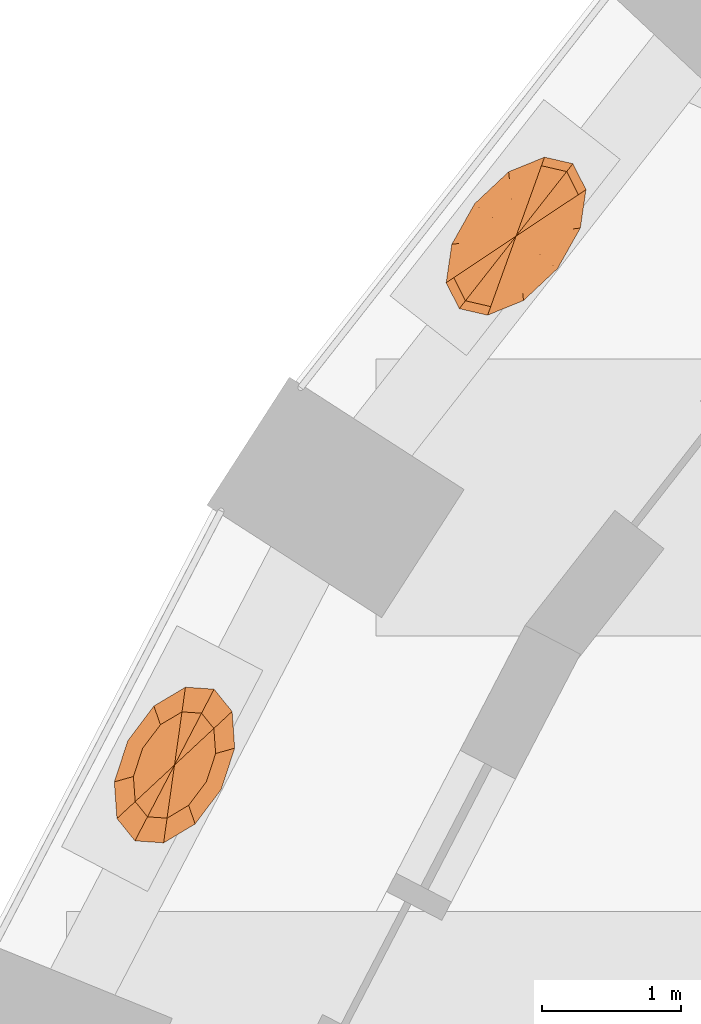
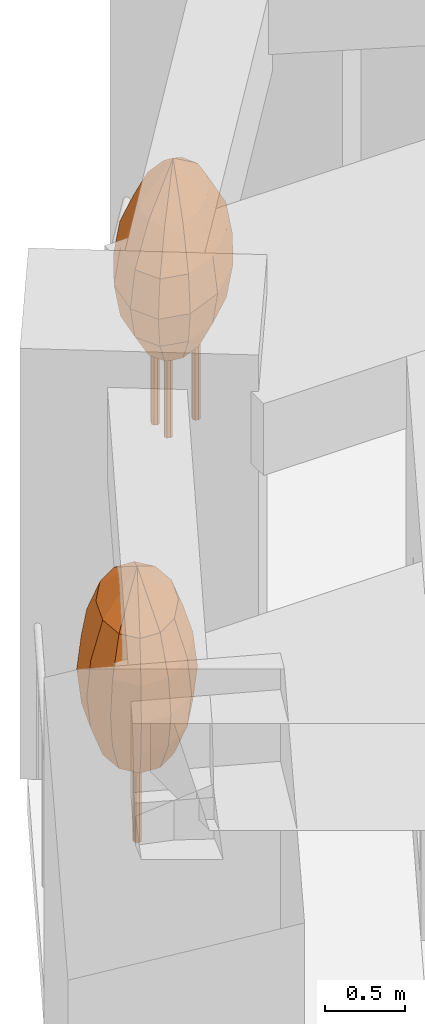
# One storey, part 13 of 13: 2 geographic elements.
"""IFC4 building model written with IfcOpenShell, lengths in metres."""

from ifc_helpers import new_model, si_unit, direction, frame, origin, place, context, subcontext, project, spatial, faceted_brep, material, constituent, constituent_set, type_object, element, save


model = new_model("IFC4")

# Units and contexts
model_context = context("Model", 3, precision=1e-05, world=origin(), true_north=direction((0.0, 1.0)))
body_context = subcontext(model_context, "Body", "Model", "MODEL_VIEW")
ifc_project = project(units=[si_unit("LENGTHUNIT", "METRE"), si_unit("AREAUNIT", "SQUARE_METRE"), si_unit("VOLUMEUNIT", "CUBIC_METRE"), si_unit("PLANEANGLEUNIT", "RADIAN"), si_unit("MASSUNIT", "GRAM", prefix="KILO")], contexts=[model_context])

# Site, building, storey
site_placement = place(None, origin())
site = spatial("IfcSite", under=ifc_project, at=site_placement, CompositionType="ELEMENT")
building_placement = place(site_placement, origin())
building = spatial("IfcBuilding", under=site, at=building_placement, Name="Taillehof Tower", CompositionType="ELEMENT")
storey_placement = place(building_placement, frame((0.0, 0.0, 34.89990234375)))
storey = spatial("IfcBuildingStorey", under=building, at=storey_placement, Name="L08", CompositionType="ELEMENT", Elevation=34.89990234375)

# Geographic elements
ifc_material_1 = material(Name="Tree bark", Category="timber")
ifc_constituent_1 = constituent(ifc_material_1, Name="Trunk", Category="timber")
ifc_material_2 = material(Name="Tree foliage")
ifc_constituent_2 = constituent(ifc_material_2, Name="Crown")
ifc_constituent_set_1 = constituent_set(constituents=[ifc_constituent_1, ifc_constituent_2], Name="Tree TR1 Columnar hornbeam")
geographic_element_type_1 = type_object("IfcGeographicElementType", Name="Tree TR1 Columnar hornbeam", PredefinedType="USERDEFINED", material=ifc_constituent_set_1)
geographic_element_1_placement = place(storey_placement, frame((-25.627685546875, 10.692626953125, 0.75)))
element("IfcGeographicElement", 1, at=geographic_element_1_placement, inside=storey, type_object=geographic_element_type_1, Name="Tree TR1 Columnar hornbeam", ObjectType="TREE", PredefinedType="USERDEFINED", context=body_context, shape_type="Brep", body=[
    faceted_brep([(0.030029296875, 0.0, 0.0), (0.021240234375, 0.021240234375, 0.0), (0.021240234375, 0.021240234375, 1.092529296875), (0.030029296875, 0.0, 1.092529296875), (0.0, 0.030029296875, 0.0), (0.0, 0.030029296875, 1.092529296875), (-0.021240234375, 0.021240234375, 0.0), (-0.021240234375, 0.021240234375, 1.092529296875), (-0.030029296875, 0.0, 0.0), (-0.030029296875, 0.0, 1.092529296875), (-0.021240234375, -0.021240234375, 0.0), (-0.021240234375, -0.021240234375, 1.092529296875), (0.0, -0.030029296875, 0.0), (0.0, -0.030029296875, 1.092529296875), (0.021240234375, -0.021240234375, 0.0), (0.021240234375, -0.021240234375, 1.092529296875)], [[[0, 1, 2, 3]], [[1, 4, 5, 2]], [[4, 6, 7, 5]], [[6, 8, 9, 7]], [[8, 10, 11, 9]], [[10, 12, 13, 11]], [[12, 14, 15, 13]], [[14, 0, 3, 15]], [[14, 12, 10, 8, 6, 4, 1, 0]], [[3, 2, 5, 7, 9, 11, 13, 15]]]),
    faceted_brep([(0.0, 0.0, 0.550048828125), (-0.053955078125, -0.3837890625, 0.808349609375), (-0.195068359375, -0.3740234375, 0.808349609375), (0.101806640625, -0.291015625, 0.808349609375), (0.230224609375, -0.1201171875, 0.808349609375), (0.296875, 0.0830078125, 0.808349609375), (0.283935546875, 0.263916015625, 0.808349609375), (0.195068359375, 0.3740234375, 0.808349609375), (0.053955078125, 0.3837890625, 0.808349609375), (-0.101806640625, 0.291015625, 0.808349609375), (-0.230224609375, 0.1201171875, 0.808349609375), (-0.296875, -0.0830078125, 0.808349609375), (-0.283935546875, -0.263916015625, 0.808349609375), (-0.07275390625, -0.519287109375, 1.066650390625), (-0.263916015625, -0.505859375, 1.066650390625), (0.1376953125, -0.3935546875, 1.066650390625), (0.311279296875, -0.162353515625, 1.066650390625), (0.401611328125, 0.1123046875, 1.066650390625), (0.38427734375, 0.35693359375, 1.066650390625), (0.263916015625, 0.505859375, 1.066650390625), (0.07275390625, 0.519287109375, 1.066650390625), (-0.1376953125, 0.3935546875, 1.066650390625), (-0.311279296875, 0.162353515625, 1.066650390625), (-0.401611328125, -0.1123046875, 1.066650390625), (-0.38427734375, -0.35693359375, 1.066650390625), (-0.078857421875, -0.56201171875, 1.324951171875), (-0.28564453125, -0.547607421875, 1.324951171875), (0.14892578125, -0.426025390625, 1.324951171875), (0.3369140625, -0.17578125, 1.324951171875), (0.4345703125, 0.12158203125, 1.324951171875), (0.415771484375, 0.38623046875, 1.324951171875), (0.28564453125, 0.547607421875, 1.324951171875), (0.078857421875, 0.56201171875, 1.324951171875), (-0.14892578125, 0.426025390625, 1.324951171875), (-0.3369140625, 0.17578125, 1.324951171875), (-0.4345703125, -0.12158203125, 1.324951171875), (-0.415771484375, -0.38623046875, 1.324951171875), (-0.07275390625, -0.519287109375, 1.583251953125), (-0.263916015625, -0.505859375, 1.583251953125), (0.1376953125, -0.3935546875, 1.583251953125), (0.311279296875, -0.162353515625, 1.583251953125), (0.401611328125, 0.1123046875, 1.583251953125), (0.38427734375, 0.35693359375, 1.583251953125), (0.263916015625, 0.505859375, 1.583251953125), (0.07275390625, 0.519287109375, 1.583251953125), (-0.1376953125, 0.3935546875, 1.583251953125), (-0.311279296875, 0.162353515625, 1.583251953125), (-0.401611328125, -0.1123046875, 1.583251953125), (-0.38427734375, -0.35693359375, 1.583251953125), (-0.053955078125, -0.3837890625, 1.841552734375), (-0.195068359375, -0.3740234375, 1.841552734375), (0.101806640625, -0.291015625, 1.841552734375), (0.230224609375, -0.1201171875, 1.841552734375), (0.296875, 0.0830078125, 1.841552734375), (0.283935546875, 0.263916015625, 1.841552734375), (0.195068359375, 0.3740234375, 1.841552734375), (0.053955078125, 0.3837890625, 1.841552734375), (-0.101806640625, 0.291015625, 1.841552734375), (-0.230224609375, 0.1201171875, 1.841552734375), (-0.296875, -0.0830078125, 1.841552734375), (-0.283935546875, -0.263916015625, 1.841552734375), (0.0, 0.0, 2.10009765625)], [[[0, 1, 2]], [[0, 3, 1]], [[0, 4, 3]], [[0, 5, 4]], [[0, 6, 5]], [[0, 7, 6]], [[0, 8, 7]], [[0, 9, 8]], [[0, 10, 9]], [[0, 11, 10]], [[0, 12, 11]], [[0, 2, 12]], [[2, 1, 13, 14]], [[1, 3, 15, 13]], [[3, 4, 16, 15]], [[4, 5, 17, 16]], [[5, 6, 18, 17]], [[6, 7, 19, 18]], [[7, 8, 20, 19]], [[8, 9, 21, 20]], [[9, 10, 22, 21]], [[10, 11, 23, 22]], [[11, 12, 24, 23]], [[12, 2, 14, 24]], [[14, 13, 25, 26]], [[13, 15, 27, 25]], [[15, 16, 28, 27]], [[16, 17, 29, 28]], [[17, 18, 30, 29]], [[18, 19, 31, 30]], [[19, 20, 32, 31]], [[20, 21, 33, 32]], [[21, 22, 34, 33]], [[22, 23, 35, 34]], [[23, 24, 36, 35]], [[24, 14, 26, 36]], [[26, 25, 37, 38]], [[25, 27, 39, 37]], [[27, 28, 40, 39]], [[28, 29, 41, 40]], [[29, 30, 42, 41]], [[30, 31, 43, 42]], [[31, 32, 44, 43]], [[32, 33, 45, 44]], [[33, 34, 46, 45]], [[34, 35, 47, 46]], [[35, 36, 48, 47]], [[36, 26, 38, 48]], [[38, 37, 49, 50]], [[37, 39, 51, 49]], [[39, 40, 52, 51]], [[40, 41, 53, 52]], [[41, 42, 54, 53]], [[42, 43, 55, 54]], [[43, 44, 56, 55]], [[44, 45, 57, 56]], [[45, 46, 58, 57]], [[46, 47, 59, 58]], [[47, 48, 60, 59]], [[48, 38, 50, 60]], [[50, 49, 61]], [[49, 51, 61]], [[51, 52, 61]], [[52, 53, 61]], [[53, 54, 61]], [[54, 55, 61]], [[55, 56, 61]], [[56, 57, 61]], [[57, 58, 61]], [[58, 59, 61]], [[59, 60, 61]], [[60, 50, 61]]]),
])
ifc_material_3 = material(Name="Tree bark", Category="timber")
ifc_constituent_3 = constituent(ifc_material_3, Name="Trunk", Category="timber")
ifc_material_4 = material(Name="Tree foliage")
ifc_constituent_4 = constituent(ifc_material_4, Name="Crown")
ifc_constituent_set_2 = constituent_set(constituents=[ifc_constituent_3, ifc_constituent_4], Name="Tree TR3 Multi-stem serviceberry")
geographic_element_type_2 = type_object("IfcGeographicElementType", Name="Tree TR3 Multi-stem serviceberry", PredefinedType="USERDEFINED", material=ifc_constituent_set_2)
geographic_element_2_placement = place(storey_placement, frame((-23.16162109375, 14.510986328125, 0.75)))
element("IfcGeographicElement", 2, at=geographic_element_2_placement, inside=storey, type_object=geographic_element_type_2, Name="Tree TR3 Multi-stem serviceberry", ObjectType="TREE", PredefinedType="USERDEFINED", context=body_context, shape_type="Brep", body=[
    faceted_brep([(0.195068359375, 0.0, 0.0), (0.186767578125, 0.0205078125, 0.0), (0.186767578125, 0.0205078125, 1.04248046875), (0.195068359375, 0.0, 1.04248046875), (0.166259765625, 0.02880859375, 0.0), (0.166259765625, 0.02880859375, 1.04248046875), (0.145751953125, 0.0205078125, 0.0), (0.145751953125, 0.0205078125, 1.04248046875), (0.137451171875, 0.0, 0.0), (0.137451171875, 0.0, 1.04248046875), (0.145751953125, -0.0205078125, 0.0), (0.145751953125, -0.0205078125, 1.04248046875), (0.166259765625, -0.02880859375, 0.0), (0.166259765625, -0.02880859375, 1.04248046875), (0.186767578125, -0.0205078125, 0.0), (0.186767578125, -0.0205078125, 1.04248046875)], [[[0, 1, 2, 3]], [[1, 4, 5, 2]], [[4, 6, 7, 5]], [[6, 8, 9, 7]], [[8, 10, 11, 9]], [[10, 12, 13, 11]], [[12, 14, 15, 13]], [[14, 0, 3, 15]], [[14, 12, 10, 8, 6, 4, 1, 0]], [[3, 2, 5, 7, 9, 11, 13, 15]]]),
    faceted_brep([(-0.05419921875, 0.082275390625, 0.0), (-0.062744140625, 0.102783203125, 0.0), (-0.062744140625, 0.102783203125, 1.04248046875), (-0.05419921875, 0.082275390625, 1.04248046875), (-0.0830078125, 0.111083984375, 0.0), (-0.0830078125, 0.111083984375, 1.04248046875), (-0.103515625, 0.102783203125, 0.0), (-0.103515625, 0.102783203125, 1.04248046875), (-0.112060546875, 0.082275390625, 0.0), (-0.112060546875, 0.082275390625, 1.04248046875), (-0.103515625, 0.061767578125, 0.0), (-0.103515625, 0.061767578125, 1.04248046875), (-0.0830078125, 0.053466796875, 0.0), (-0.0830078125, 0.053466796875, 1.04248046875), (-0.062744140625, 0.061767578125, 0.0), (-0.062744140625, 0.061767578125, 1.04248046875)], [[[0, 1, 2, 3]], [[1, 4, 5, 2]], [[4, 6, 7, 5]], [[6, 8, 9, 7]], [[8, 10, 11, 9]], [[10, 12, 13, 11]], [[12, 14, 15, 13]], [[14, 0, 3, 15]], [[14, 12, 10, 8, 6, 4, 1, 0]], [[3, 2, 5, 7, 9, 11, 13, 15]]]),
    faceted_brep([(-0.05419921875, -0.082275390625, 0.0), (-0.062744140625, -0.061767578125, 0.0), (-0.062744140625, -0.061767578125, 1.04248046875), (-0.05419921875, -0.082275390625, 1.04248046875), (-0.0830078125, -0.053466796875, 0.0), (-0.0830078125, -0.053466796875, 1.04248046875), (-0.103515625, -0.061767578125, 0.0), (-0.103515625, -0.061767578125, 1.04248046875), (-0.112060546875, -0.082275390625, 0.0), (-0.112060546875, -0.082275390625, 1.04248046875), (-0.103515625, -0.102783203125, 0.0), (-0.103515625, -0.102783203125, 1.04248046875), (-0.0830078125, -0.111083984375, 0.0), (-0.0830078125, -0.111083984375, 1.04248046875), (-0.062744140625, -0.102783203125, 0.0), (-0.062744140625, -0.102783203125, 1.04248046875)], [[[0, 1, 2, 3]], [[1, 4, 5, 2]], [[4, 6, 7, 5]], [[6, 8, 9, 7]], [[8, 10, 11, 9]], [[10, 12, 13, 11]], [[12, 14, 15, 13]], [[14, 0, 3, 15]], [[14, 12, 10, 8, 6, 4, 1, 0]], [[3, 2, 5, 7, 9, 11, 13, 15]]]),
    faceted_brep([(0.0, 0.0, 0.5), (-0.1181640625, -0.32763671875, 0.75830078125), (-0.235595703125, -0.30078125, 0.75830078125), (0.031005859375, -0.266845703125, 0.75830078125), (0.171875, -0.134521484375, 0.75830078125), (0.2666015625, 0.03369140625, 0.75830078125), (0.289794921875, 0.193115234375, 0.75830078125), (0.235595703125, 0.30078125, 0.75830078125), (0.1181640625, 0.32763671875, 0.75830078125), (-0.031005859375, 0.266845703125, 0.75830078125), (-0.171875, 0.134521484375, 0.75830078125), (-0.2666015625, -0.03369140625, 0.75830078125), (-0.289794921875, -0.193115234375, 0.75830078125), (-0.18310546875, -0.508544921875, 1.0166015625), (-0.365478515625, -0.466552734375, 1.0166015625), (0.048095703125, -0.4140625, 1.0166015625), (0.2666015625, -0.208740234375, 1.0166015625), (0.41357421875, 0.052490234375, 1.0166015625), (0.449951171875, 0.299560546875, 1.0166015625), (0.365478515625, 0.466552734375, 1.0166015625), (0.18310546875, 0.508544921875, 1.0166015625), (-0.048095703125, 0.4140625, 1.0166015625), (-0.2666015625, 0.208740234375, 1.0166015625), (-0.41357421875, -0.052490234375, 1.0166015625), (-0.449951171875, -0.299560546875, 1.0166015625), (-0.20556640625, -0.570556640625, 1.27490234375), (-0.41015625, -0.5234375, 1.27490234375), (0.053955078125, -0.464599609375, 1.27490234375), (0.299072265625, -0.234375, 1.27490234375), (0.464111328125, 0.058837890625, 1.27490234375), (0.504638671875, 0.336181640625, 1.27490234375), (0.41015625, 0.5234375, 1.27490234375), (0.20556640625, 0.570556640625, 1.27490234375), (-0.053955078125, 0.464599609375, 1.27490234375), (-0.299072265625, 0.234375, 1.27490234375), (-0.464111328125, -0.058837890625, 1.27490234375), (-0.504638671875, -0.336181640625, 1.27490234375), (-0.18310546875, -0.508544921875, 1.533447265625), (-0.365478515625, -0.466552734375, 1.533447265625), (0.048095703125, -0.4140625, 1.533447265625), (0.2666015625, -0.208740234375, 1.533447265625), (0.41357421875, 0.052490234375, 1.533447265625), (0.449951171875, 0.299560546875, 1.533447265625), (0.365478515625, 0.466552734375, 1.533447265625), (0.18310546875, 0.508544921875, 1.533447265625), (-0.048095703125, 0.4140625, 1.533447265625), (-0.2666015625, 0.208740234375, 1.533447265625), (-0.41357421875, -0.052490234375, 1.533447265625), (-0.449951171875, -0.299560546875, 1.533447265625), (-0.1181640625, -0.32763671875, 1.791748046875), (-0.235595703125, -0.30078125, 1.791748046875), (0.031005859375, -0.266845703125, 1.791748046875), (0.171875, -0.134521484375, 1.791748046875), (0.2666015625, 0.03369140625, 1.791748046875), (0.289794921875, 0.193115234375, 1.791748046875), (0.235595703125, 0.30078125, 1.791748046875), (0.1181640625, 0.32763671875, 1.791748046875), (-0.031005859375, 0.266845703125, 1.791748046875), (-0.171875, 0.134521484375, 1.791748046875), (-0.2666015625, -0.03369140625, 1.791748046875), (-0.289794921875, -0.193115234375, 1.791748046875), (0.0, 0.0, 2.050048828125)], [[[0, 1, 2]], [[0, 3, 1]], [[0, 4, 3]], [[0, 5, 4]], [[0, 6, 5]], [[0, 7, 6]], [[0, 8, 7]], [[0, 9, 8]], [[0, 10, 9]], [[0, 11, 10]], [[0, 12, 11]], [[0, 2, 12]], [[2, 1, 13, 14]], [[1, 3, 15, 13]], [[3, 4, 16, 15]], [[4, 5, 17, 16]], [[5, 6, 18, 17]], [[6, 7, 19, 18]], [[7, 8, 20, 19]], [[8, 9, 21, 20]], [[9, 10, 22, 21]], [[10, 11, 23, 22]], [[11, 12, 24, 23]], [[12, 2, 14, 24]], [[14, 13, 25, 26]], [[13, 15, 27, 25]], [[15, 16, 28, 27]], [[16, 17, 29, 28]], [[17, 18, 30, 29]], [[18, 19, 31, 30]], [[19, 20, 32, 31]], [[20, 21, 33, 32]], [[21, 22, 34, 33]], [[22, 23, 35, 34]], [[23, 24, 36, 35]], [[24, 14, 26, 36]], [[26, 25, 37, 38]], [[25, 27, 39, 37]], [[27, 28, 40, 39]], [[28, 29, 41, 40]], [[29, 30, 42, 41]], [[30, 31, 43, 42]], [[31, 32, 44, 43]], [[32, 33, 45, 44]], [[33, 34, 46, 45]], [[34, 35, 47, 46]], [[35, 36, 48, 47]], [[36, 26, 38, 48]], [[38, 37, 49, 50]], [[37, 39, 51, 49]], [[39, 40, 52, 51]], [[40, 41, 53, 52]], [[41, 42, 54, 53]], [[42, 43, 55, 54]], [[43, 44, 56, 55]], [[44, 45, 57, 56]], [[45, 46, 58, 57]], [[46, 47, 59, 58]], [[47, 48, 60, 59]], [[48, 38, 50, 60]], [[50, 49, 61]], [[49, 51, 61]], [[51, 52, 61]], [[52, 53, 61]], [[53, 54, 61]], [[54, 55, 61]], [[55, 56, 61]], [[56, 57, 61]], [[57, 58, 61]], [[58, 59, 61]], [[59, 60, 61]], [[60, 50, 61]]]),
])

save(model, "model.ifc")
